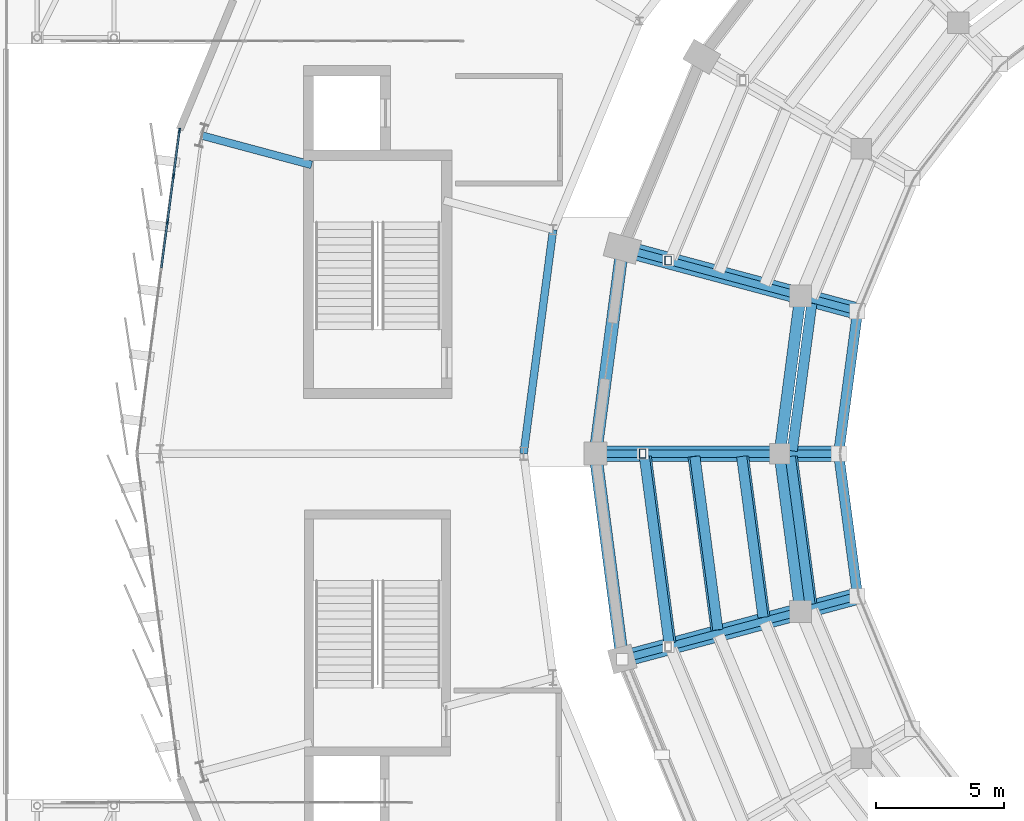
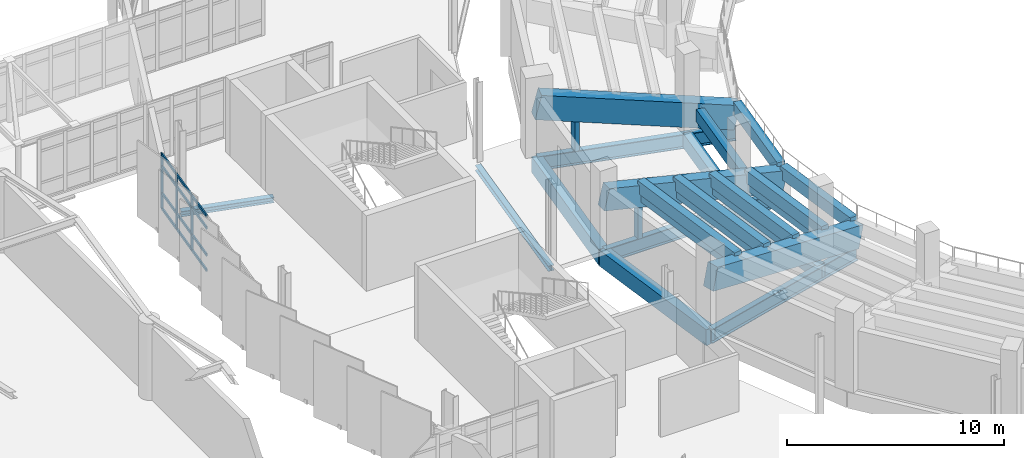
# One storey, part 42 of 120: 23 beams, 17 members, 1 element without a shape of its own.
"""IFC4 building model written with IfcOpenShell, lengths in metres."""

from ifc_helpers import new_model, si_unit, direction, frame, origin, origin_2d, place, context, subcontext, project, spatial, rectangle, hollow_rectangle, i_section, extrude, material, layer, layer_set, material_profile, profile_set, type_object, element, aggregate, save


model = new_model("IFC4")

# Units and contexts
model_context = context("Model", 3, precision=1e-05, world=origin(), true_north=direction((0.0, 1.0)))
body_context = subcontext(model_context, "Body", "Model", "MODEL_VIEW")
ifc_project = project(units=[si_unit("LENGTHUNIT", "METRE"), si_unit("AREAUNIT", "SQUARE_METRE"), si_unit("VOLUMEUNIT", "CUBIC_METRE"), si_unit("PLANEANGLEUNIT", "RADIAN"), si_unit("MASSUNIT", "GRAM", prefix="KILO")], contexts=[model_context])

# Site, building, storey
site_placement = place(None, origin())
site = spatial("IfcSite", under=ifc_project, at=site_placement, CompositionType="ELEMENT")
building_placement = place(site_placement, origin())
building = spatial("IfcBuilding", under=site, at=building_placement, Name="Sohan Crest Arena", CompositionType="ELEMENT")
storey_placement = place(building_placement, frame((0.0, 0.0, 13.5)))
storey = spatial("IfcBuildingStorey", under=building, at=storey_placement, Name="L03", CompositionType="ELEMENT", Elevation=13.5)

# Curtain wall, members
ifc_material_1 = material(Name="Thermally broken anodised aluminium", Category="aluminium")
ifc_layer = layer(ifc_material_1, 0.2099609375, Name="Thermally broken anodised aluminium")
ifc_layer_set = layer_set([ifc_layer], Name="Thermally broken anodised aluminium")
curtain_wall_type = type_object("IfcCurtainWallType", Name="ARC-CW06", PredefinedType="NOTDEFINED", material=ifc_layer_set)
curtain_wall_placement = place(storey_placement, origin())
curtain_wall = element("IfcCurtainWall", 1, at=curtain_wall_placement, inside=storey, type_object=curtain_wall_type, Name="Unitised curtain wall CW-084", PredefinedType="NOTDEFINED")
ifc_material_profile_1 = material_profile(ifc_material_1, rectangle(XDim=0.06494140625, YDim=0.179931640625, at=origin_2d()), Name="ALU-MULL 65x180")
ifc_profile_set_1 = profile_set([ifc_material_profile_1], Name="Thermally broken anodised aluminium")
member_type_1 = type_object("IfcMemberType", Name="ARC-CW-ML02", PredefinedType="MULLION", material=ifc_profile_set_1)
member_1_placement = place(storey_placement, frame((50.76171875, 90.623779296875, 0.0), z_axis=(0.0, 0.0, 1.0), x_axis=(0.991446828069, -0.130511252817, 0.0)))
member_1 = element("IfcMember", 2, at=member_1_placement, type_object=member_type_1, Name="CW-084 mullion 1", PredefinedType="MULLION", context=body_context, shape_type="SweptSolid", body=[
    extrude(rectangle(XDim=0.06494140625, YDim=0.179931640625, at=origin_2d()), origin(), (0.0, 0.0, 1.0), 3.1201171875),
])
member_2_placement = place(storey_placement, frame((50.528076171875, 88.847900390625, 0.0), z_axis=(0.0, 0.0, 1.0), x_axis=(0.991446828069, -0.130511252817, 0.0)))
member_2 = element("IfcMember", 3, at=member_2_placement, type_object=member_type_1, Name="CW-084 mullion 2", PredefinedType="MULLION", context=body_context, shape_type="SweptSolid", body=[
    extrude(rectangle(XDim=0.06494140625, YDim=0.179931640625, at=origin_2d()), origin(), (0.0, 0.0, 1.0), 3.1201171875),
])
member_3_placement = place(storey_placement, frame((50.2900390625, 87.0400390625, 0.0), z_axis=(0.0, 0.0, 1.0), x_axis=(0.991446828069, -0.130511252817, 0.0)))
member_3 = element("IfcMember", 4, at=member_3_placement, type_object=member_type_1, Name="CW-084 mullion 3", PredefinedType="MULLION", context=body_context, shape_type="SweptSolid", body=[
    extrude(rectangle(XDim=0.06494140625, YDim=0.179931640625, at=origin_2d()), origin(), (0.0, 0.0, 1.0), 3.1201171875),
])
ifc_material_profile_2 = material_profile(ifc_material_1, rectangle(XDim=0.070068359375, YDim=0.14990234375, at=origin_2d()), Name="ALU-TRAN 70x150")
ifc_profile_set_2 = profile_set([ifc_material_profile_2], Name="Thermally broken anodised aluminium")
member_type_2 = type_object("IfcMemberType", Name="ARC-CW-TR03", PredefinedType="USERDEFINED", material=ifc_profile_set_2)
member_4_placement = place(storey_placement, frame((50.757568359375, 90.591552734375, 0.034912109375), z_axis=(-0.13054231775, -0.991442738274, 0.0), x_axis=(0.991442738274, -0.13054231775, 0.0)))
member_4 = element("IfcMember", 5, at=member_4_placement, type_object=member_type_2, Name="CW-084 transom 1.1", ObjectType="TRANSOM", PredefinedType="USERDEFINED", context=body_context, shape_type="SweptSolid", body=[
    extrude(rectangle(XDim=0.070068359375, YDim=0.14990234375, at=origin_2d()), origin(), (0.0, 0.0, 1.0), 1.726318359375),
])
member_5_placement = place(storey_placement, frame((50.757568359375, 90.591552734375, 0.89990234375), z_axis=(-0.13054231775, -0.991442738274, 0.0), x_axis=(0.991442738274, -0.13054231775, 0.0)))
member_5 = element("IfcMember", 6, at=member_5_placement, type_object=member_type_2, Name="CW-084 transom 1.2", ObjectType="TRANSOM", PredefinedType="USERDEFINED", context=body_context, shape_type="SweptSolid", body=[
    extrude(rectangle(XDim=0.070068359375, YDim=0.14990234375, at=origin_2d()), origin(), (0.0, 0.0, 1.0), 1.726318359375),
])
member_6_placement = place(storey_placement, frame((50.757568359375, 90.591552734375, 2.419921875), z_axis=(-0.13054231775, -0.991442738274, 0.0), x_axis=(0.991442738274, -0.13054231775, 0.0)))
member_6 = element("IfcMember", 7, at=member_6_placement, type_object=member_type_2, Name="CW-084 transom 1.3", ObjectType="TRANSOM", PredefinedType="USERDEFINED", context=body_context, shape_type="SweptSolid", body=[
    extrude(rectangle(XDim=0.070068359375, YDim=0.14990234375, at=origin_2d()), origin(), (0.0, 0.0, 1.0), 1.726318359375),
])
member_7_placement = place(storey_placement, frame((50.757568359375, 90.591552734375, 3.0849609375), z_axis=(-0.13054231775, -0.991442738274, 0.0), x_axis=(0.991442738274, -0.13054231775, 0.0)))
member_7 = element("IfcMember", 8, at=member_7_placement, type_object=member_type_2, Name="CW-084 transom 1.4", ObjectType="TRANSOM", PredefinedType="USERDEFINED", context=body_context, shape_type="SweptSolid", body=[
    extrude(rectangle(XDim=0.070068359375, YDim=0.14990234375, at=origin_2d()), origin(), (0.0, 0.0, 1.0), 1.726318359375),
])
member_8_placement = place(storey_placement, frame((50.523681640625, 88.815673828125, 0.034912109375), z_axis=(-0.130508384443, -0.991447205649, 0.0), x_axis=(0.991447205649, -0.130508384443, 0.0)))
member_8 = element("IfcMember", 9, at=member_8_placement, type_object=member_type_2, Name="CW-084 transom 2.1", ObjectType="TRANSOM", PredefinedType="USERDEFINED", context=body_context, shape_type="SweptSolid", body=[
    extrude(rectangle(XDim=0.070068359375, YDim=0.14990234375, at=origin_2d()), origin(), (0.0, 0.0, 1.0), 1.758544921875),
])
member_9_placement = place(storey_placement, frame((50.523681640625, 88.815673828125, 0.89990234375), z_axis=(-0.130508384443, -0.991447205649, 0.0), x_axis=(0.991447205649, -0.130508384443, 0.0)))
member_9 = element("IfcMember", 10, at=member_9_placement, type_object=member_type_2, Name="CW-084 transom 2.2", ObjectType="TRANSOM", PredefinedType="USERDEFINED", context=body_context, shape_type="SweptSolid", body=[
    extrude(rectangle(XDim=0.070068359375, YDim=0.14990234375, at=origin_2d()), origin(), (0.0, 0.0, 1.0), 1.758544921875),
])
member_10_placement = place(storey_placement, frame((50.523681640625, 88.815673828125, 2.419921875), z_axis=(-0.130508384443, -0.991447205649, 0.0), x_axis=(0.991447205649, -0.130508384443, 0.0)))
member_10 = element("IfcMember", 11, at=member_10_placement, type_object=member_type_2, Name="CW-084 transom 2.3", ObjectType="TRANSOM", PredefinedType="USERDEFINED", context=body_context, shape_type="SweptSolid", body=[
    extrude(rectangle(XDim=0.070068359375, YDim=0.14990234375, at=origin_2d()), origin(), (0.0, 0.0, 1.0), 1.758544921875),
])
member_11_placement = place(storey_placement, frame((50.523681640625, 88.815673828125, 3.0849609375), z_axis=(-0.130508384443, -0.991447205649, 0.0), x_axis=(0.991447205649, -0.130508384443, 0.0)))
member_11 = element("IfcMember", 12, at=member_11_placement, type_object=member_type_2, Name="CW-084 transom 2.4", ObjectType="TRANSOM", PredefinedType="USERDEFINED", context=body_context, shape_type="SweptSolid", body=[
    extrude(rectangle(XDim=0.070068359375, YDim=0.14990234375, at=origin_2d()), origin(), (0.0, 0.0, 1.0), 1.758544921875),
])
member_12_placement = place(storey_placement, frame((50.28564453125, 87.0078125, 0.034912109375), z_axis=(-0.130490422253, -0.991449569923, 0.0), x_axis=(0.991449569923, -0.130490422253, 0.0)))
member_12 = element("IfcMember", 13, at=member_12_placement, type_object=member_type_2, Name="CW-084 transom 3.1", ObjectType="TRANSOM", PredefinedType="USERDEFINED", context=body_context, shape_type="SweptSolid", body=[
    extrude(rectangle(XDim=0.070068359375, YDim=0.14990234375, at=origin_2d()), origin(), (0.0, 0.0, 1.0), 1.7587890625),
])
member_13_placement = place(storey_placement, frame((50.28564453125, 87.0078125, 0.89990234375), z_axis=(-0.130490422253, -0.991449569923, 0.0), x_axis=(0.991449569923, -0.130490422253, 0.0)))
member_13 = element("IfcMember", 14, at=member_13_placement, type_object=member_type_2, Name="CW-084 transom 3.2", ObjectType="TRANSOM", PredefinedType="USERDEFINED", context=body_context, shape_type="SweptSolid", body=[
    extrude(rectangle(XDim=0.070068359375, YDim=0.14990234375, at=origin_2d()), origin(), (0.0, 0.0, 1.0), 1.7587890625),
])
member_14_placement = place(storey_placement, frame((50.28564453125, 87.0078125, 2.419921875), z_axis=(-0.130490422253, -0.991449569923, 0.0), x_axis=(0.991449569923, -0.130490422253, 0.0)))
member_14 = element("IfcMember", 15, at=member_14_placement, type_object=member_type_2, Name="CW-084 transom 3.3", ObjectType="TRANSOM", PredefinedType="USERDEFINED", context=body_context, shape_type="SweptSolid", body=[
    extrude(rectangle(XDim=0.070068359375, YDim=0.14990234375, at=origin_2d()), origin(), (0.0, 0.0, 1.0), 1.7587890625),
])
member_15_placement = place(storey_placement, frame((50.28564453125, 87.0078125, 3.0849609375), z_axis=(-0.130490422253, -0.991449569923, 0.0), x_axis=(0.991449569923, -0.130490422253, 0.0)))
member_15 = element("IfcMember", 16, at=member_15_placement, type_object=member_type_2, Name="CW-084 transom 3.4", ObjectType="TRANSOM", PredefinedType="USERDEFINED", context=body_context, shape_type="SweptSolid", body=[
    extrude(rectangle(XDim=0.070068359375, YDim=0.14990234375, at=origin_2d()), origin(), (0.0, 0.0, 1.0), 1.7587890625),
])
aggregate(curtain_wall, [member_1, member_2, member_3, member_4, member_5, member_6, member_7, member_8, member_9, member_10, member_11, member_12, member_13, member_14, member_15])

# Beams
ifc_material_2 = material(Name="Steel S355", Category="steel")
ifc_material_profile_3 = material_profile(ifc_material_2, i_section(OverallWidth=0.300048828125, OverallDepth=0.300048828125, WebThickness=0.010986328125, FlangeThickness=0.01904296875, at=origin_2d()), Name="HEB 300")
ifc_profile_set_3 = profile_set([ifc_material_profile_3], Name="Steel S355")
beam_type_1 = type_object("IfcBeamType", Name="STR-BM-B12", PredefinedType="BEAM", material=ifc_profile_set_3)
beam_1_placement = place(storey_placement, frame((55.919921875, 89.27490234375, -0.39990234375), z_axis=(-0.965907995401, 0.258885581716, 0.0), x_axis=(-0.258885581716, -0.965907995401, 0.0)))
element("IfcBeam", 17, at=beam_1_placement, inside=storey, type_object=beam_type_1, Name="Structural beam G-L03-1420", PredefinedType="BEAM", context=body_context, shape_type="SweptSolid", body=[
    extrude(i_section(OverallWidth=0.300048828125, OverallDepth=0.300048828125, WebThickness=0.010986328125, FlangeThickness=0.01904296875, at=origin_2d()), origin(), (0.0, 0.0, 1.0), 4.43505859375),
])
beam_2_placement = place(storey_placement, frame((65.35205078125, 86.748046875, -0.39990234375), z_axis=(-0.130570461953, -0.991439032147, 0.0), x_axis=(0.991439032147, -0.130570461953, 0.0)))
element("IfcBeam", 18, at=beam_2_placement, inside=storey, type_object=beam_type_1, Name="Structural beam G-L03-1421", PredefinedType="BEAM", context=body_context, shape_type="SweptSolid", body=[
    extrude(i_section(OverallWidth=0.300048828125, OverallDepth=0.300048828125, WebThickness=0.010986328125, FlangeThickness=0.01904296875, at=origin_2d()), origin(), (0.0, 0.0, 1.0), 8.823486328125),
])
ifc_material_profile_4 = material_profile(ifc_material_2, i_section(OverallWidth=0.300048828125, OverallDepth=0.800048828125, WebThickness=0.017578125, FlangeThickness=0.032958984375, at=origin_2d()), Name="HEB 800")
ifc_profile_set_4 = profile_set([ifc_material_profile_4], Name="Steel S355")
beam_type_2 = type_object("IfcBeamType", Name="STR-BM-B17", PredefinedType="BEAM", material=ifc_profile_set_4)
beam_3_placement = place(storey_placement, frame((68.055908203125, 86.02294921875, -0.64990234375), z_axis=(0.965951148004, -0.258724524678, 0.0), x_axis=(0.258724524678, 0.965951148004, 0.0)))
element("IfcBeam", 19, at=beam_3_placement, inside=storey, type_object=beam_type_2, Name="Structural beam GC-L03-0827", PredefinedType="BEAM", context=body_context, shape_type="SweptSolid", body=[
    extrude(i_section(OverallWidth=0.300048828125, OverallDepth=0.800048828125, WebThickness=0.017578125, FlangeThickness=0.032958984375, at=origin_2d()), origin(), (0.0, 0.0, 1.0), 9.50048828125),
])
beam_4_placement = place(storey_placement, frame((67.0, 78.0, -0.64990234375), z_axis=(1.0, 0.0, 0.0), x_axis=(0.0, 1.0, 0.0)))
element("IfcBeam", 20, at=beam_4_placement, inside=storey, type_object=beam_type_2, Name="Structural beam GC-L03-0830", PredefinedType="BEAM", context=body_context, shape_type="SweptSolid", body=[
    extrude(i_section(OverallWidth=0.300048828125, OverallDepth=0.800048828125, WebThickness=0.017578125, FlangeThickness=0.032958984375, at=origin_2d()), origin(), (0.0, 0.0, 1.0), 9.5),
])
beam_5_placement = place(storey_placement, frame((68.055908203125, 69.97705078125, -0.64990234375), z_axis=(0.965951148004, 0.258724524678, 0.0), x_axis=(-0.258724524678, 0.965951148004, 0.0)))
element("IfcBeam", 21, at=beam_5_placement, inside=storey, type_object=beam_type_2, Name="Structural beam GC-L03-0833", PredefinedType="BEAM", context=body_context, shape_type="SweptSolid", body=[
    extrude(i_section(OverallWidth=0.300048828125, OverallDepth=0.800048828125, WebThickness=0.017578125, FlangeThickness=0.032958984375, at=origin_2d()), origin(), (0.0, 0.0, 1.0), 9.50048828125),
])
ifc_material_3 = material(Name="Precast concrete C50/60", Category="concrete")
ifc_material_profile_5 = material_profile(ifc_material_3, rectangle(XDim=0.60009765625, YDim=1.199951171875, at=origin_2d()), Name="RAKER 600x1200")
ifc_profile_set_5 = profile_set([ifc_material_profile_5], Name="Precast concrete C50/60")
beam_type_3 = type_object("IfcBeamType", Name="STR-BM-RK04", PredefinedType="USERDEFINED", material=ifc_profile_set_5)
beam_6_placement = place(storey_placement, frame((76.5, 78.0, 0.35009765625), z_axis=(-0.971925616524, 0.0, 0.235288325135), x_axis=(0.0, -1.0, 0.0)))
element("IfcBeam", 22, at=beam_6_placement, inside=storey, type_object=beam_type_3, Name="Structural beam RKU-L03-0831", ObjectType="RAKER", PredefinedType="USERDEFINED", context=body_context, shape_type="SweptSolid", body=[
    extrude(rectangle(XDim=0.60009765625, YDim=1.199951171875, at=origin_2d()), origin(), (0.0, 0.0, 1.0), 9.7744140625),
])
ifc_material_profile_6 = material_profile(ifc_material_3, rectangle(XDim=0.64990234375, YDim=1.25, at=origin_2d()), Name="RAKER 650x1250")
ifc_profile_set_6 = profile_set([ifc_material_profile_6], Name="Precast concrete C50/60")
beam_type_4 = type_object("IfcBeamType", Name="STR-BM-RK05", PredefinedType="USERDEFINED", material=ifc_profile_set_6)
beam_7_placement = place(storey_placement, frame((77.23291015625, 72.43505859375, 0.35009765625), z_axis=(-0.938835304477, -0.251461700111, 0.235277037649), x_axis=(0.258724524678, -0.965951148004, 0.0)))
element("IfcBeam", 23, at=beam_7_placement, inside=storey, type_object=beam_type_4, Name="Structural beam RKU-L03-0834", ObjectType="RAKER", PredefinedType="USERDEFINED", context=body_context, shape_type="SweptSolid", body=[
    extrude(rectangle(XDim=0.64990234375, YDim=1.25, at=origin_2d()), origin(), (0.0, 0.0, 1.0), 9.77490234375),
])
ifc_material_profile_7 = material_profile(ifc_material_3, rectangle(XDim=0.64990234375, YDim=1.35009765625, at=origin_2d()), Name="RAKER 650x1350")
ifc_profile_set_7 = profile_set([ifc_material_profile_7], Name="Precast concrete C50/60")
beam_type_5 = type_object("IfcBeamType", Name="STR-BM-RK06", PredefinedType="USERDEFINED", material=ifc_profile_set_7)
beam_8_placement = place(storey_placement, frame((77.23291015625, 83.56494140625, 0.35009765625), z_axis=(-0.938835304477, 0.251461700111, 0.235277037649), x_axis=(-0.258724524678, -0.965951148004, 0.0)))
element("IfcBeam", 24, at=beam_8_placement, inside=storey, type_object=beam_type_5, Name="Structural beam RKU-L03-0828", ObjectType="RAKER", PredefinedType="USERDEFINED", context=body_context, shape_type="SweptSolid", body=[
    extrude(rectangle(XDim=0.64990234375, YDim=1.35009765625, at=origin_2d()), origin(), (0.0, 0.0, 1.0), 9.77490234375),
])
ifc_material_4 = material(Name="Concrete C40/50", Category="concrete")
ifc_material_profile_8 = material_profile(ifc_material_4, rectangle(XDim=0.39990234375, YDim=0.699951171875, at=origin_2d()), Name="RC-BM 400x700")
ifc_profile_set_8 = profile_set([ifc_material_profile_8], Name="Concrete C40/50")
beam_type_6 = type_object("IfcBeamType", Name="STR-BM-TB01", PredefinedType="BEAM", material=ifc_profile_set_8)
beam_9_placement = place(storey_placement, frame((77.218017578125, 83.3779296875, 0.85595703125), z_axis=(-0.132272020629, -0.991213454589, 0.0), x_axis=(0.991213454589, -0.132272020629, 0.0)))
element("IfcBeam", 25, at=beam_9_placement, inside=storey, type_object=beam_type_6, Name="Upper tier front stringer TSB-U048A", PredefinedType="BEAM", context=body_context, shape_type="SweptSolid", body=[
    extrude(rectangle(XDim=0.39990234375, YDim=0.699951171875, at=origin_2d()), origin(), (0.0, 0.0, 1.0), 5.315673828125),
])
beam_10_placement = place(storey_placement, frame((75.4560546875, 83.864990234375, 0.85595703125), z_axis=(-0.131767133562, -0.991280698144, 0.0), x_axis=(0.991280698144, -0.131767133562, 0.0)))
element("IfcBeam", 26, at=beam_10_placement, inside=storey, type_object=beam_type_6, Name="Upper tier rear stringer TSB-U048B", PredefinedType="BEAM", context=body_context, shape_type="SweptSolid", body=[
    extrude(rectangle(XDim=0.39990234375, YDim=0.699951171875, at=origin_2d()), origin(), (0.0, 0.0, 1.0), 5.806640625),
])
beam_11_placement = place(storey_placement, frame((76.514892578125, 77.89111328125, 0.85595703125), z_axis=(0.132272020629, -0.991213454589, 0.0), x_axis=(0.991213454589, 0.132272020629, 0.0)))
element("IfcBeam", 27, at=beam_11_placement, inside=storey, type_object=beam_type_6, Name="Upper tier front stringer TSB-U054A", PredefinedType="BEAM", context=body_context, shape_type="SweptSolid", body=[
    extrude(rectangle(XDim=0.39990234375, YDim=0.699951171875, at=origin_2d()), origin(), (0.0, 0.0, 1.0), 5.315673828125),
])
beam_12_placement = place(storey_placement, frame((74.69091796875, 77.89111328125, 0.85595703125), z_axis=(0.131767133562, -0.991280698144, 0.0), x_axis=(0.991280698144, 0.131767133562, 0.0)))
element("IfcBeam", 28, at=beam_12_placement, inside=storey, type_object=beam_type_6, Name="Upper tier rear stringer TSB-U054B", PredefinedType="BEAM", context=body_context, shape_type="SweptSolid", body=[
    extrude(rectangle(XDim=0.39990234375, YDim=0.699951171875, at=origin_2d()), origin(), (0.0, 0.0, 1.0), 5.806640625),
])
beam_13_placement = place(storey_placement, frame((74.614013671875, 77.89111328125, 1.31591796875), z_axis=(0.131977100098, -0.991252765469, 0.0), x_axis=(0.991252765469, 0.131977100098, 0.0)))
element("IfcBeam", 29, at=beam_13_placement, inside=storey, type_object=beam_type_6, Name="Upper tier front stringer TSB-U055A", PredefinedType="BEAM", context=body_context, shape_type="SweptSolid", body=[
    extrude(rectangle(XDim=0.39990234375, YDim=0.699951171875, at=origin_2d()), origin(), (0.0, 0.0, 1.0), 5.8271484375),
])
beam_14_placement = place(storey_placement, frame((72.7900390625, 77.89111328125, 1.31591796875), z_axis=(0.131535978648, -0.991311397252, 0.0), x_axis=(0.991311397252, 0.131535978648, 0.0)))
element("IfcBeam", 30, at=beam_14_placement, inside=storey, type_object=beam_type_6, Name="Upper tier rear stringer TSB-U055B", PredefinedType="BEAM", context=body_context, shape_type="SweptSolid", body=[
    extrude(rectangle(XDim=0.39990234375, YDim=0.699951171875, at=origin_2d()), origin(), (0.0, 0.0, 1.0), 6.318115234375),
])
beam_15_placement = place(storey_placement, frame((72.714111328125, 77.89111328125, 1.77587890625), z_axis=(0.131578354155, -0.991305773572, 0.0), x_axis=(0.991305773572, 0.131578354155, 0.0)))
element("IfcBeam", 31, at=beam_15_placement, inside=storey, type_object=beam_type_6, Name="Upper tier front stringer TSB-U056A", PredefinedType="BEAM", context=body_context, shape_type="SweptSolid", body=[
    extrude(rectangle(XDim=0.39990234375, YDim=0.699951171875, at=origin_2d()), origin(), (0.0, 0.0, 1.0), 6.33837890625),
])
beam_16_placement = place(storey_placement, frame((70.889892578125, 77.89111328125, 1.77587890625), z_axis=(0.131203552141, -0.991355449829, 0.0), x_axis=(0.991355449829, 0.131203552141, 0.0)))
element("IfcBeam", 32, at=beam_16_placement, inside=storey, type_object=beam_type_6, Name="Upper tier rear stringer TSB-U056B", PredefinedType="BEAM", context=body_context, shape_type="SweptSolid", body=[
    extrude(rectangle(XDim=0.39990234375, YDim=0.699951171875, at=origin_2d()), origin(), (0.0, 0.0, 1.0), 6.8291015625),
])
beam_17_placement = place(storey_placement, frame((70.81396484375, 77.89111328125, 2.236083984375), z_axis=(0.131225201876, -0.991352584297, 0.0), x_axis=(0.991352584297, 0.131225201876, 0.0)))
element("IfcBeam", 33, at=beam_17_placement, inside=storey, type_object=beam_type_6, Name="Upper tier front stringer TSB-U057A", PredefinedType="BEAM", context=body_context, shape_type="SweptSolid", body=[
    extrude(rectangle(XDim=0.39990234375, YDim=0.699951171875, at=origin_2d()), origin(), (0.0, 0.0, 1.0), 6.850341796875),
])
beam_18_placement = place(storey_placement, frame((68.989990234375, 77.89111328125, 2.236083984375), z_axis=(0.130895815818, -0.991396129406, 0.0), x_axis=(0.991396129406, 0.130895815818, 0.0)))
element("IfcBeam", 34, at=beam_18_placement, inside=storey, type_object=beam_type_6, Name="Upper tier rear stringer TSB-U057B", PredefinedType="BEAM", context=body_context, shape_type="SweptSolid", body=[
    extrude(rectangle(XDim=0.39990234375, YDim=0.699951171875, at=origin_2d()), origin(), (0.0, 0.0, 1.0), 7.34130859375),
])
beam_19_placement = place(storey_placement, frame((68.9140625, 77.89111328125, 2.696044921875), z_axis=(0.130803676355, -0.991408290389, 0.0), x_axis=(0.991408290389, 0.130803676355, 0.0)))
element("IfcBeam", 35, at=beam_19_placement, inside=storey, type_object=beam_type_6, Name="Upper tier front stringer TSB-U058A", PredefinedType="BEAM", context=body_context, shape_type="SweptSolid", body=[
    extrude(rectangle(XDim=0.39990234375, YDim=0.699951171875, at=origin_2d()), origin(), (0.0, 0.0, 1.0), 7.361328125),
])
ifc_material_profile_9 = material_profile(ifc_material_4, rectangle(XDim=0.449951171875, YDim=0.800048828125, at=origin_2d()), Name="RC-BM 450x800")
ifc_profile_set_9 = profile_set([ifc_material_profile_9], Name="Concrete C40/50")
beam_type_7 = type_object("IfcBeamType", Name="STR-BM-TB02", PredefinedType="BEAM", material=ifc_profile_set_9)
for number, where, z_axis, x_axis, name in (
    (36, (75.010986328125, 84.159912109375, -0.64990234375), (-0.130536846329, -0.991443458676, 0.0), (0.991443458676, -0.130536846329, 0.0), "Structural beam TB-L03-0184"),
    (37, (74.199951171875, 78.0, -0.64990234375), (0.130536846329, -0.991443458676, 0.0), (0.991443458676, 0.130536846329, 0.0), "Structural beam TB-L03-0206"),
):
    element("IfcBeam", number, at=place(storey_placement, frame(where, z_axis=z_axis, x_axis=x_axis)), inside=storey, type_object=beam_type_7, Name=name, PredefinedType="BEAM", context=body_context, shape_type="SweptSolid", body=[
        extrude(rectangle(XDim=0.449951171875, YDim=0.800048828125, at=origin_2d()), origin(), (0.0, 0.0, 1.0), 6.213134765625),
    ])
ifc_material_profile_10 = material_profile(ifc_material_4, rectangle(XDim=0.5, YDim=0.89990234375, at=origin_2d()), Name="RC-BM 500x900")
ifc_profile_set_10 = profile_set([ifc_material_profile_10], Name="Concrete C40/50")
beam_type_8 = type_object("IfcBeamType", Name="STR-BM-TB03", PredefinedType="BEAM", material=ifc_profile_set_10)
for number, where, z_axis, x_axis, name in (
    (38, (68.055908203125, 86.02294921875, -0.699951171875), (-0.130485730048, -0.99145018748, 0.0), (0.99145018748, -0.130485730048, 0.0), "Structural beam TB-L03-0185"),
    (39, (67.0, 78.0, -0.699951171875), (0.130485730048, -0.99145018748, 0.0), (0.99145018748, 0.130485730048, 0.0), "Structural beam TB-L03-0207"),
):
    element("IfcBeam", number, at=place(storey_placement, frame(where, z_axis=z_axis, x_axis=x_axis)), inside=storey, type_object=beam_type_8, Name=name, PredefinedType="BEAM", context=body_context, shape_type="SweptSolid", body=[
        extrude(rectangle(XDim=0.5, YDim=0.89990234375, at=origin_2d()), origin(), (0.0, 0.0, 1.0), 8.092041015625),
    ])

# Members
ifc_material_profile_11 = material_profile(ifc_material_2, hollow_rectangle(XDim=0.25, YDim=0.35009765625, WallThickness=0.012451171875, at=origin_2d()), Name="RHS 350x250x12.5")
ifc_profile_set_11 = profile_set([ifc_material_profile_11], Name="Steel S355")
member_type_3 = type_object("IfcMemberType", Name="STR-MEM-CH04", PredefinedType="CHORD", material=ifc_profile_set_11)
member_16_placement = place(storey_placement, frame((69.843017578125, 85.5439453125, -0.260009765625), z_axis=(0.0, 0.0, 1.0), x_axis=(1.0, 0.0, 0.0)))
element("IfcMember", 40, at=member_16_placement, inside=storey, type_object=member_type_3, Name="Upper tier rear raker support post RKP-O06", PredefinedType="CHORD", context=body_context, shape_type="SweptSolid", body=[
    extrude(hollow_rectangle(XDim=0.25, YDim=0.35009765625, WallThickness=0.012451171875, at=origin_2d()), origin(), (0.0, 0.0, 1.0), 2.0849609375),
])
member_17_placement = place(storey_placement, frame((68.85009765625, 78.0, -0.260009765625), z_axis=(0.0, 0.0, 1.0), x_axis=(1.0, 0.0, 0.0)))
element("IfcMember", 41, at=member_17_placement, inside=storey, type_object=member_type_3, Name="Upper tier rear raker support post RKP-O07", PredefinedType="CHORD", context=body_context, shape_type="SweptSolid", body=[
    extrude(hollow_rectangle(XDim=0.25, YDim=0.35009765625, WallThickness=0.012451171875, at=origin_2d()), origin(), (0.0, 0.0, 1.0), 2.159912109375),
])

save(model, "model.ifc")
